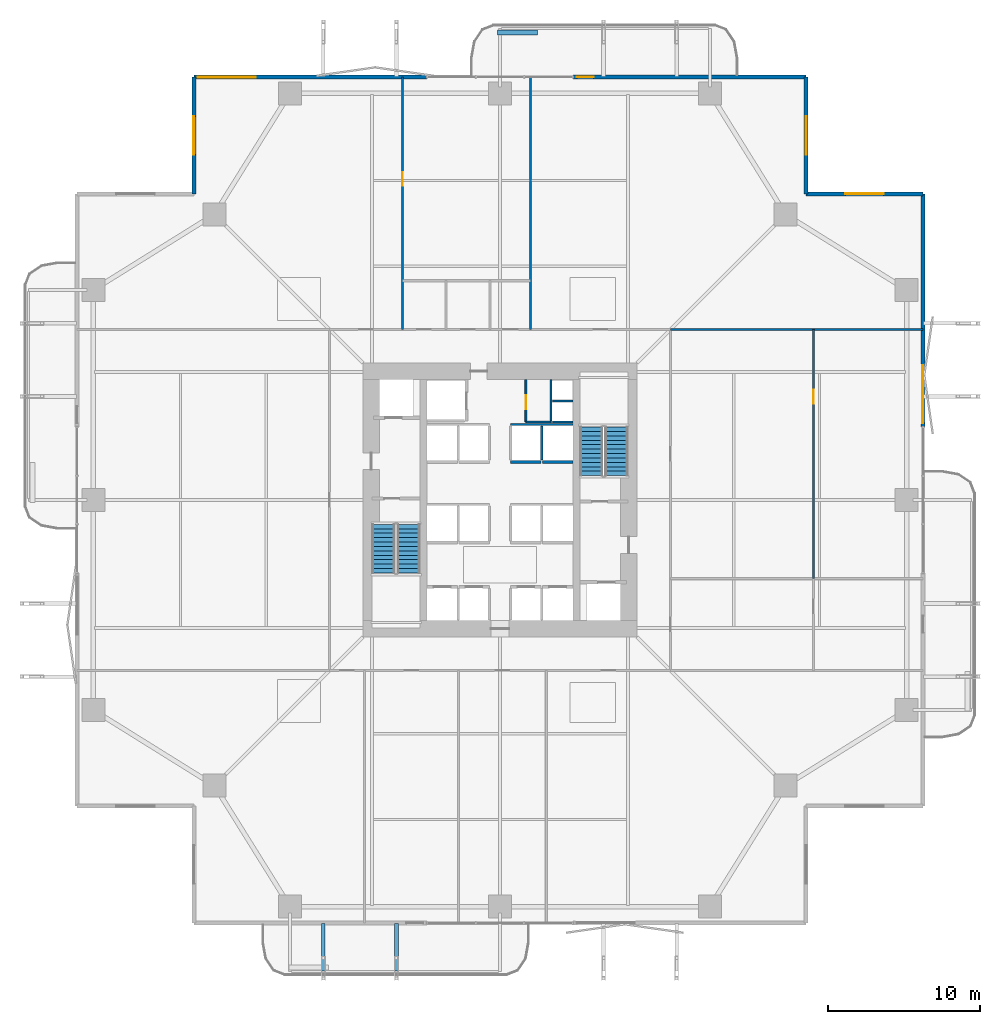
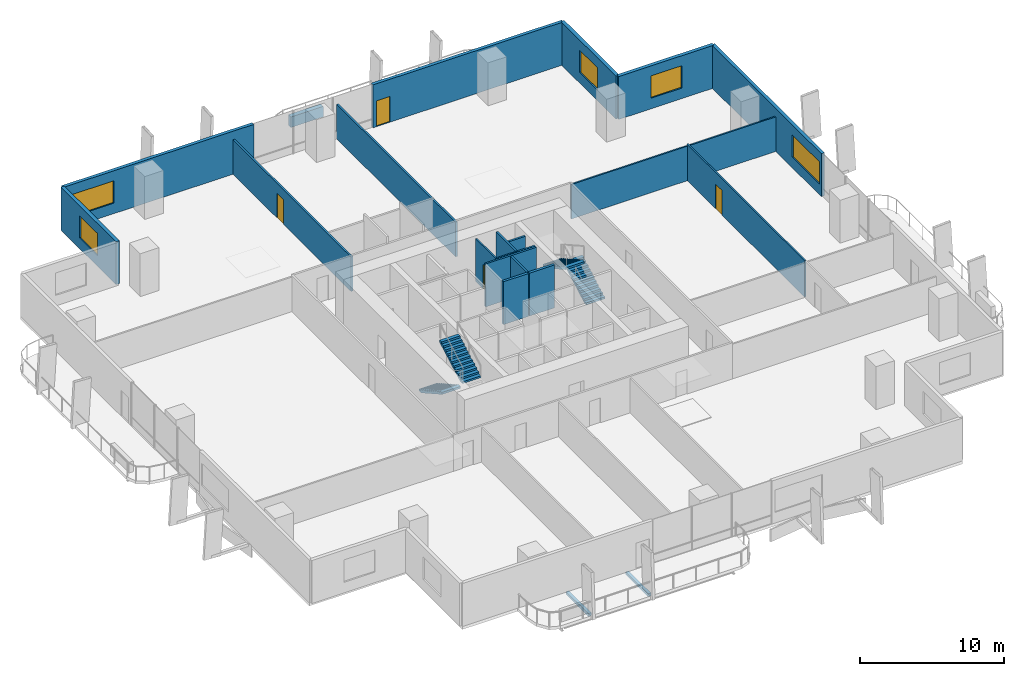
# One storey, part 19 of 23: 20 walls, 5 windows, 4 doors, 4 stair flights, 2 discrete accessories, 9 openings, 2 elements without a shape of their own.
"""IFC4 building model written with IfcOpenShell, lengths in metres."""

from ifc_helpers import new_model, si_unit, direction, frame, frame_2d, origin, origin_2d, place, context, subcontext, project, spatial, polyline, rectangle, outline, extrude, material, layer, layer_set, type_object, element, fill, aggregate, save


model = new_model("IFC4")

# Units and contexts
model_context = context("Model", 3, precision=1e-05, world=origin(), true_north=direction((0.0, 1.0)))
body_context = subcontext(model_context, "Body", "Model", "MODEL_VIEW")
ifc_project = project(units=[si_unit("LENGTHUNIT", "METRE"), si_unit("AREAUNIT", "SQUARE_METRE"), si_unit("VOLUMEUNIT", "CUBIC_METRE"), si_unit("PLANEANGLEUNIT", "RADIAN"), si_unit("MASSUNIT", "GRAM", prefix="KILO")], contexts=[model_context])

# Site, building, storey
site_placement = place(None, origin())
site = spatial("IfcSite", under=ifc_project, at=site_placement, CompositionType="ELEMENT")
building_placement = place(site_placement, origin())
building = spatial("IfcBuilding", under=site, at=building_placement, Name="Belovzor Exchange Tower", CompositionType="ELEMENT")
storey_placement = place(building_placement, frame((0.0, 0.0, 41.699951171875)))
storey = spatial("IfcBuildingStorey", under=building, at=storey_placement, Name="L09", CompositionType="ELEMENT", Elevation=41.699951171875)

# Wall
ifc_material_1 = material(Name="Acoustic Plasterboard on Galvanised Studs", Category="gypsum")
ifc_layer_1 = layer(ifc_material_1, 0.1201171875)
ifc_layer_set_1 = layer_set([ifc_layer_1], Name="Acoustic Plasterboard on Galvanised Studs")
wall_type_1 = type_object("IfcWallType", Name="Acoustic Double-Stud Partition Wall 120", PredefinedType="PARTITIONING", material=ifc_layer_set_1)
wall_1_placement = place(storey_placement, frame((40.0, 40.0, 0.0), z_axis=(0.0, 0.0, 1.0), x_axis=(1.0, 0.0, 0.0)))
element("IfcWall", 1, at=wall_1_placement, inside=storey, type_object=wall_type_1, Name="W-P120 Partition Wall W-L09-END-NE", PredefinedType="PARTITIONING", context=body_context, shape_type="SweptSolid", body=[
    extrude(rectangle(XDim=16.570068359375, YDim=0.1201171875, at=frame_2d((8.28515625, 0.0))), origin(), (0.0, 0.0, 1.0), 2.93505859375),
])

# Wall, opening, door
wall_2_placement = place(storey_placement, frame((49.387939453125, 23.637939453125, 0.0), z_axis=(0.0, 0.0, 1.0), x_axis=(0.0, 1.0, 0.0)))
wall_2 = element("IfcWall", 2, at=wall_2_placement, inside=storey, type_object=wall_type_1, Name="W-P120 Partition Wall W-L09-EHDIV-1", PredefinedType="PARTITIONING", context=body_context, shape_type="SweptSolid", body=[
    extrude(rectangle(XDim=16.362060546875, YDim=0.1201171875, at=frame_2d((8.18115234375, 0.0))), origin(), (0.0, 0.0, 1.0), 3.0849609375),
])
opening_1_placement = place(wall_2_placement, frame((11.49609375, 0.0, 0.0)))
opening_1 = element("IfcOpeningElement", 3, at=opening_1_placement, cuts=wall_2, Name="Opening D-INT-090", PredefinedType="OPENING", context=body_context, shape_type="SweptSolid", body=[
    extrude(rectangle(XDim=0.89990234375, YDim=2.10009765625, at=frame_2d((0.449951171875, 1.050048828125))), frame((0.0, 0.070068359375, 0.0), z_axis=(0.0, -1.0, 0.0), x_axis=(1.0, 0.0, 0.0)), (0.0, 0.0, 1.0), 0.14013671875),
])
ifc_material_2 = material(Name="Veneered Hardwood Acoustic Leaf", Category="wood")
door_type_1 = type_object("IfcDoorType", Name="Trading Suite Acoustic Single Door 900x2100", OperationType="NOTDEFINED", PredefinedType="DOOR", material=ifc_material_2)
door_1_placement = place(opening_1_placement, origin())
door_1 = element("IfcDoor", 4, at=door_1_placement, inside=storey, type_object=door_type_1, Name="D-INT-090 Trading Suite Acoustic Single Door 900x2100", OperationType="SINGLE_SWING_RIGHT", OverallHeight=2.10009765625, OverallWidth=0.89990234375, PredefinedType="DOOR", context=body_context, shape_type="SweptSolid", body=[
    extrude(rectangle(XDim=0.89990234375, YDim=2.10009765625, at=frame_2d((0.449951171875, 1.050048828125))), frame((0.0, 0.02490234375, 0.0), z_axis=(0.0, -1.0, 0.0), x_axis=(1.0, 0.0, 0.0)), (0.0, 0.0, 1.0), 0.050048828125),
])
fill(opening_1, door_1)

ifc_material_3 = material(Name="Fire-Rated Plasterboard on Galvanised Studs", Category="gypsum")
ifc_layer_2 = layer(ifc_material_3, 0.1201171875)
ifc_layer_set_2 = layer_set([ifc_layer_2], Name="Fire-Rated Plasterboard on Galvanised Studs")
wall_type_2 = type_object("IfcWallType", Name="Fire-Rated Double-Stud Partition Wall 120", PredefinedType="PARTITIONING", material=ifc_layer_set_2)
wall_3_placement = place(storey_placement, frame((30.5, 33.925048828125, 0.0), z_axis=(0.0, 0.0, 1.0), x_axis=(0.0, 1.0, 0.0)))
wall_3 = element("IfcWall", 5, at=wall_3_placement, inside=storey, type_object=wall_type_2, Name="W-P120F Partition Wall W-CRV-L09-W", PredefinedType="PARTITIONING", context=body_context, shape_type="SweptSolid", body=[
    extrude(rectangle(XDim=2.77490234375, YDim=0.1201171875, at=frame_2d((1.387451171875, 0.0))), origin(), (0.0, 0.0, 1.0), 3.650146484375),
])
opening_2_placement = place(wall_3_placement, frame((0.85009765625, 0.0, 0.0)))
opening_2 = element("IfcOpeningElement", 6, at=opening_2_placement, cuts=wall_3, Name="Opening D-FD60-090", PredefinedType="OPENING", context=body_context, shape_type="SweptSolid", body=[
    extrude(rectangle(XDim=0.89990234375, YDim=2.10009765625, at=frame_2d((0.449951171875, 1.050048828125))), frame((0.0, 0.070068359375, 0.0), z_axis=(0.0, -1.0, 0.0), x_axis=(1.0, 0.0, 0.0)), (0.0, 0.0, 1.0), 0.14013671875),
])
ifc_material_4 = material(Name="Acoustic Timber Fire Leaf", Category="wood")
door_type_2 = type_object("IfcDoorType", Name="Core Service & Restroom Fire Door 900x2100", OperationType="NOTDEFINED", PredefinedType="DOOR", material=ifc_material_4)
door_2_placement = place(opening_2_placement, origin())
door_2 = element("IfcDoor", 7, at=door_2_placement, inside=storey, type_object=door_type_2, Name="D-FD60-090 Core Service & Restroom Fire Door 900x2100", OperationType="SINGLE_SWING_LEFT", OverallHeight=2.10009765625, OverallWidth=0.89990234375, PredefinedType="DOOR", context=body_context, shape_type="SweptSolid", body=[
    extrude(rectangle(XDim=0.89990234375, YDim=2.10009765625, at=frame_2d((0.449951171875, 1.050048828125))), frame((0.0, 0.02490234375, 0.0), z_axis=(0.0, -1.0, 0.0), x_axis=(1.0, 0.0, 0.0)), (0.0, 0.0, 1.0), 0.050048828125),
])
fill(opening_2, door_2)

# Wall
wall_4_placement = place(storey_placement, frame((30.5, 33.925048828125, 0.0), z_axis=(0.0, 0.0, 1.0), x_axis=(1.0, 0.0, 0.0)))
element("IfcWall", 8, at=wall_4_placement, inside=storey, type_object=wall_type_2, Name="W-P120F Partition Wall W-CRV-L09-S", PredefinedType="PARTITIONING", context=body_context, shape_type="SweptSolid", body=[
    extrude(rectangle(XDim=1.64990234375, YDim=0.1201171875, at=frame_2d((0.824951171875, 0.0))), origin(), (0.0, 0.0, 1.0), 3.650146484375),
])

# Wall, opening, door
ifc_material_5 = material(Name="Fire-Rated Gypsum Block and Mineral Wool", Category="gypsum")
ifc_layer_3 = layer(ifc_material_5, 0.14990234375)
ifc_layer_set_3 = layer_set([ifc_layer_3], Name="Fire-Rated Gypsum Block and Mineral Wool")
wall_type_3 = type_object("IfcWallType", Name="Fire-Rated Gypsum Block Corridor Wall 150", PredefinedType="PARTITIONING", material=ifc_layer_set_3)
wall_5_placement = place(storey_placement, frame((22.39990234375, 40.0, 0.0), z_axis=(0.0, 0.0, 1.0), x_axis=(0.0, 1.0, 0.0)))
wall_5 = element("IfcWall", 9, at=wall_5_placement, inside=storey, type_object=wall_type_3, Name="W-P150 Partition Wall W-L09-WCW", PredefinedType="PARTITIONING", context=body_context, shape_type="SweptSolid", body=[
    extrude(rectangle(XDim=16.570068359375, YDim=0.14990234375, at=frame_2d((8.28515625, 0.0))), origin(), (0.0, 0.0, 1.0), 2.93505859375),
])
opening_3_placement = place(wall_5_placement, frame((9.43505859375, 0.0, 0.0)))
opening_3 = element("IfcOpeningElement", 10, at=opening_3_placement, cuts=wall_5, Name="Opening D-INT-090", PredefinedType="OPENING", context=body_context, shape_type="SweptSolid", body=[
    extrude(rectangle(XDim=0.89990234375, YDim=2.10009765625, at=frame_2d((0.449951171875, 1.050048828125))), frame((0.0, 0.0849609375, 0.0), z_axis=(0.0, -1.0, 0.0), x_axis=(1.0, 0.0, 0.0)), (0.0, 0.0, 1.0), 0.169921875),
])
door_3_placement = place(opening_3_placement, origin())
door_3 = element("IfcDoor", 11, at=door_3_placement, inside=storey, type_object=door_type_1, Name="D-INT-090 Trading Suite Acoustic Single Door 900x2100", OperationType="SINGLE_SWING_LEFT", OverallHeight=2.10009765625, OverallWidth=0.89990234375, PredefinedType="DOOR", context=body_context, shape_type="SweptSolid", body=[
    extrude(rectangle(XDim=0.89990234375, YDim=2.10009765625, at=frame_2d((0.449951171875, 1.050048828125))), frame((0.0, 0.02490234375, 0.0), z_axis=(0.0, -1.0, 0.0), x_axis=(1.0, 0.0, 0.0)), (0.0, 0.0, 1.0), 0.050048828125),
])
fill(opening_3, door_3)

# Wall
wall_6_placement = place(storey_placement, frame((30.800048828125, 40.0, 0.0), z_axis=(0.0, 0.0, 1.0), x_axis=(0.0, 1.0, 0.0)))
element("IfcWall", 12, at=wall_6_placement, inside=storey, type_object=wall_type_3, Name="W-P150 Partition Wall W-L09-WCE", PredefinedType="PARTITIONING", context=body_context, shape_type="SweptSolid", body=[
    extrude(rectangle(XDim=16.570068359375, YDim=0.14990234375, at=frame_2d((8.28515625, 0.0))), origin(), (0.0, 0.0, 1.0), 2.93505859375),
])

# Wall, opening, window
ifc_material_6 = material(Name="Precast concrete C40/50", Category="concrete")
ifc_layer_4 = layer(ifc_material_6, 0.280029296875)
ifc_layer_set_4 = layer_set([ifc_layer_4], Name="Precast concrete C40/50")
wall_type_4 = type_object("IfcWallType", Name="Precast Concrete Notched Corner Frame Wall 280", PredefinedType="SOLIDWALL", material=ifc_layer_set_4)
wall_7_placement = place(storey_placement, frame((8.699951171875, 48.89990234375, 0.0), z_axis=(0.0, 0.0, 1.0), x_axis=(0.0, 1.0, 0.0)))
wall_7 = element("IfcWall", 13, at=wall_7_placement, inside=storey, type_object=wall_type_4, Name="W-CRN280 Precast Concrete Notched Corner Frame Wall 280 L09", PredefinedType="SOLIDWALL", context=body_context, shape_type="SweptSolid", body=[
    extrude(rectangle(XDim=7.670166015625, YDim=0.280029296875, at=frame_2d((3.8349609375, 0.0))), origin(), (0.0, 0.0, 1.0), 3.650146484375),
])
opening_4_placement = place(wall_7_placement, frame((2.5849609375, 0.0, 0.89990234375)))
opening_4 = element("IfcOpeningElement", 14, at=opening_4_placement, cuts=wall_7, Name="Opening WN-CRN250", PredefinedType="OPENING", context=body_context, shape_type="SweptSolid", body=[
    extrude(rectangle(XDim=2.5, YDim=1.89990234375, at=frame_2d((1.25, 0.949951171875))), frame((0.0, 0.14990234375, 0.0), z_axis=(0.0, -1.0, 0.0), x_axis=(1.0, 0.0, 0.0)), (0.0, 0.0, 1.0), 0.300048828125),
])
ifc_material_7 = material(Name="Thermally Broken Aluminium and Triple Glazing", Category="aluminium")
window_type_1 = type_object("IfcWindowType", Name="Streamline Moderne Corner Wrap Ribbon Window 2500x1900", PartitioningType="SINGLE_PANEL", PredefinedType="WINDOW", material=ifc_material_7)
window_1_placement = place(opening_4_placement, origin())
window_1 = element("IfcWindow", 15, at=window_1_placement, inside=storey, type_object=window_type_1, Name="WN-CRN250 Streamline Moderne Corner Wrap Ribbon Window 2500x1900", OverallHeight=1.89990234375, OverallWidth=2.5, PartitioningType="SINGLE_PANEL", PredefinedType="WINDOW", context=body_context, shape_type="SweptSolid", body=[
    extrude(rectangle(XDim=2.5, YDim=1.89990234375, at=frame_2d((1.25, 0.949951171875))), frame((0.0, 0.030029296875, 0.0), z_axis=(0.0, -1.0, 0.0), x_axis=(1.0, 0.0, 0.0)), (0.0, 0.0, 1.0), 0.06005859375),
])
fill(opening_4, window_1)

wall_8_placement = place(storey_placement, frame((48.89990234375, 56.570068359375, 0.0), z_axis=(0.0, 0.0, 1.0), x_axis=(0.0, -1.0, 0.0)))
wall_8 = element("IfcWall", 16, at=wall_8_placement, inside=storey, type_object=wall_type_4, Name="W-CRN280 Precast Concrete Notched Corner Frame Wall 280 L09", PredefinedType="SOLIDWALL", context=body_context, shape_type="SweptSolid", body=[
    extrude(rectangle(XDim=7.670166015625, YDim=0.280029296875, at=frame_2d((3.8349609375, 0.0))), origin(), (0.0, 0.0, 1.0), 3.650146484375),
])
opening_5_placement = place(wall_8_placement, frame((2.5849609375, 0.0, 0.89990234375)))
opening_5 = element("IfcOpeningElement", 17, at=opening_5_placement, cuts=wall_8, Name="Opening WN-CRN250", PredefinedType="OPENING", context=body_context, shape_type="SweptSolid", body=[
    extrude(rectangle(XDim=2.5, YDim=1.89990234375, at=frame_2d((1.25, 0.949951171875))), frame((0.0, 0.14990234375, 0.0), z_axis=(0.0, -1.0, 0.0), x_axis=(1.0, 0.0, 0.0)), (0.0, 0.0, 1.0), 0.300048828125),
])
window_2_placement = place(opening_5_placement, origin())
window_2 = element("IfcWindow", 18, at=window_2_placement, inside=storey, type_object=window_type_1, Name="WN-CRN250 Streamline Moderne Corner Wrap Ribbon Window 2500x1900", OverallHeight=1.89990234375, OverallWidth=2.5, PartitioningType="SINGLE_PANEL", PredefinedType="WINDOW", context=body_context, shape_type="SweptSolid", body=[
    extrude(rectangle(XDim=2.5, YDim=1.89990234375, at=frame_2d((1.25, 0.949951171875))), frame((0.0, 0.030029296875, 0.0), z_axis=(0.0, -1.0, 0.0), x_axis=(1.0, 0.0, 0.0)), (0.0, 0.0, 1.0), 0.06005859375),
])
fill(opening_5, window_2)

wall_9_placement = place(storey_placement, frame((48.89990234375, 48.89990234375, 0.0), z_axis=(0.0, 0.0, 1.0), x_axis=(1.0, 0.0, 0.0)))
wall_9 = element("IfcWall", 19, at=wall_9_placement, inside=storey, type_object=wall_type_4, Name="W-CRN280 Precast Concrete Notched Corner Frame Wall 280 L09", PredefinedType="SOLIDWALL", context=body_context, shape_type="SweptSolid", body=[
    extrude(rectangle(XDim=7.670166015625, YDim=0.280029296875, at=frame_2d((3.8349609375, 0.0))), origin(), (0.0, 0.0, 1.0), 3.650146484375),
])
opening_6_placement = place(wall_9_placement, frame((2.5849609375, 0.0, 0.89990234375)))
opening_6 = element("IfcOpeningElement", 20, at=opening_6_placement, cuts=wall_9, Name="Opening WN-CRN250", PredefinedType="OPENING", context=body_context, shape_type="SweptSolid", body=[
    extrude(rectangle(XDim=2.5, YDim=1.89990234375, at=frame_2d((1.25, 0.949951171875))), frame((0.0, 0.14990234375, 0.0), z_axis=(0.0, -1.0, 0.0), x_axis=(1.0, 0.0, 0.0)), (0.0, 0.0, 1.0), 0.300048828125),
])
window_3_placement = place(opening_6_placement, origin())
window_3 = element("IfcWindow", 21, at=window_3_placement, inside=storey, type_object=window_type_1, Name="WN-CRN250 Streamline Moderne Corner Wrap Ribbon Window 2500x1900", OverallHeight=1.89990234375, OverallWidth=2.5, PartitioningType="SINGLE_PANEL", PredefinedType="WINDOW", context=body_context, shape_type="SweptSolid", body=[
    extrude(rectangle(XDim=2.5, YDim=1.89990234375, at=frame_2d((1.25, 0.949951171875))), frame((0.0, 0.030029296875, 0.0), z_axis=(0.0, -1.0, 0.0), x_axis=(1.0, 0.0, 0.0)), (0.0, 0.0, 1.0), 0.06005859375),
])
fill(opening_6, window_3)

ifc_material_8 = material(Name="Precast concrete C40/50", Category="concrete")
ifc_layer_5 = layer(ifc_material_8, 0.260009765625)
ifc_layer_set_5 = layer_set([ifc_layer_5], Name="Precast concrete C40/50")
wall_type_5 = type_object("IfcWallType", Name="Precast Concrete Perimeter Loggia Frame Wall 260", PredefinedType="SOLIDWALL", material=ifc_layer_set_5)
wall_10_placement = place(storey_placement, frame((8.699951171875, 56.570068359375, 0.0), z_axis=(0.0, 0.0, 1.0), x_axis=(1.0, 0.0, 0.0)))
wall_10 = element("IfcWall", 22, at=wall_10_placement, inside=storey, type_object=wall_type_5, Name="W-EXT260 Precast Concrete Perimeter Loggia Frame Wall 260 L09", PredefinedType="SOLIDWALL", context=body_context, shape_type="SweptSolid", body=[
    extrude(rectangle(XDim=15.300048828125, YDim=0.260009765625, at=frame_2d((7.64990234375, 0.0))), origin(), (0.0, 0.0, 1.0), 3.650146484375),
])
opening_7_placement = place(wall_10_placement, frame((0.25, 0.0, 0.89990234375)))
opening_7 = element("IfcOpeningElement", 23, at=opening_7_placement, cuts=wall_10, Name="Opening WN-RIB380", PredefinedType="OPENING", context=body_context, shape_type="SweptSolid", body=[
    extrude(rectangle(XDim=3.800048828125, YDim=1.89990234375, at=frame_2d((1.89990234375, 0.949951171875))), frame((0.0, 0.139892578125, 0.0), z_axis=(0.0, -1.0, 0.0), x_axis=(1.0, 0.0, 0.0)), (0.0, 0.0, 1.0), 0.280029296875),
])
ifc_material_9 = material(Name="Thermally Broken Aluminium and Triple Glazing", Category="aluminium")
window_type_2 = type_object("IfcWindowType", Name="Streamline Moderne Horizontal Ribbon Window 3800x1900", PartitioningType="SINGLE_PANEL", PredefinedType="WINDOW", material=ifc_material_9)
window_4_placement = place(opening_7_placement, origin())
window_4 = element("IfcWindow", 24, at=window_4_placement, inside=storey, type_object=window_type_2, Name="WN-RIB380 Streamline Moderne Horizontal Ribbon Window 3800x1900", OverallHeight=1.89990234375, OverallWidth=3.800048828125, PartitioningType="SINGLE_PANEL", PredefinedType="WINDOW", context=body_context, shape_type="SweptSolid", body=[
    extrude(rectangle(XDim=3.800048828125, YDim=1.89990234375, at=frame_2d((1.89990234375, 0.949951171875))), frame((0.0, 0.030029296875, 0.0), z_axis=(0.0, -1.0, 0.0), x_axis=(1.0, 0.0, 0.0)), (0.0, 0.0, 1.0), 0.06005859375),
])
fill(opening_7, window_4)

# Wall, opening, door
wall_11_placement = place(storey_placement, frame((33.60009765625, 56.570068359375, 0.0), z_axis=(0.0, 0.0, 1.0), x_axis=(1.0, 0.0, 0.0)))
wall_11 = element("IfcWall", 25, at=wall_11_placement, inside=storey, type_object=wall_type_5, Name="W-EXT260 Precast Concrete Perimeter Loggia Frame Wall 260 L09", PredefinedType="SOLIDWALL", context=body_context, shape_type="SweptSolid", body=[
    extrude(rectangle(XDim=15.2998046875, YDim=0.260009765625, at=frame_2d((7.64990234375, 0.0))), origin(), (0.0, 0.0, 1.0), 3.650146484375),
])
opening_8_placement = place(wall_11_placement, frame((0.25, 0.0, 0.0)))
opening_8 = element("IfcOpeningElement", 26, at=opening_8_placement, cuts=wall_11, Name="Opening D-BAL110", PredefinedType="OPENING", context=body_context, shape_type="SweptSolid", body=[
    extrude(rectangle(XDim=1.10009765625, YDim=2.199951171875, at=frame_2d((0.550048828125, 1.10009765625))), frame((0.0, 0.139892578125, 0.0), z_axis=(0.0, -1.0, 0.0), x_axis=(1.0, 0.0, 0.0)), (0.0, 0.0, 1.0), 0.280029296875),
])
ifc_material_10 = material(Name="Thermally Broken Anodised Aluminium and Laminated Glass", Category="aluminium")
door_type_3 = type_object("IfcDoorType", Name="Planted Loggia Terrace Glazed Door 1100x2200", OperationType="SINGLE_SWING_LEFT", PredefinedType="DOOR", material=ifc_material_10)
door_4_placement = place(opening_8_placement, origin())
door_4 = element("IfcDoor", 27, at=door_4_placement, inside=storey, type_object=door_type_3, Name="D-BAL110 Balcony Terrace Door L09 N", OperationType="SINGLE_SWING_RIGHT", OverallHeight=2.199951171875, OverallWidth=1.10009765625, PredefinedType="DOOR", context=body_context, shape_type="SweptSolid", body=[
    extrude(rectangle(XDim=1.10009765625, YDim=2.199951171875, at=frame_2d((0.550048828125, 1.10009765625))), frame((0.0, 0.02490234375, 0.0), z_axis=(0.0, -1.0, 0.0), x_axis=(1.0, 0.0, 0.0)), (0.0, 0.0, 1.0), 0.050048828125),
])
fill(opening_8, door_4)

# Wall, opening, window
wall_12_placement = place(storey_placement, frame((56.570068359375, 48.89990234375, 0.0), z_axis=(0.0, 0.0, 1.0), x_axis=(0.0, -1.0, 0.0)))
wall_12 = element("IfcWall", 28, at=wall_12_placement, inside=storey, type_object=wall_type_5, Name="W-EXT260 Precast Concrete Perimeter Loggia Frame Wall 260 L09", PredefinedType="SOLIDWALL", context=body_context, shape_type="SweptSolid", body=[
    extrude(rectangle(XDim=15.2998046875, YDim=0.260009765625, at=frame_2d((7.64990234375, 0.0))), origin(), (0.0, 0.0, 1.0), 3.650146484375),
])
opening_9_placement = place(wall_12_placement, frame((11.25, 0.0, 0.89990234375)))
opening_9 = element("IfcOpeningElement", 29, at=opening_9_placement, cuts=wall_12, Name="Opening WN-RIB380", PredefinedType="OPENING", context=body_context, shape_type="SweptSolid", body=[
    extrude(rectangle(XDim=3.800048828125, YDim=1.89990234375, at=frame_2d((1.89990234375, 0.949951171875))), frame((0.0, 0.139892578125, 0.0), z_axis=(0.0, -1.0, 0.0), x_axis=(1.0, 0.0, 0.0)), (0.0, 0.0, 1.0), 0.280029296875),
])
window_5_placement = place(opening_9_placement, origin())
window_5 = element("IfcWindow", 30, at=window_5_placement, inside=storey, type_object=window_type_2, Name="WN-RIB380 Streamline Moderne Horizontal Ribbon Window 3800x1900", OverallHeight=1.89990234375, OverallWidth=3.800048828125, PartitioningType="SINGLE_PANEL", PredefinedType="WINDOW", context=body_context, shape_type="SweptSolid", body=[
    extrude(rectangle(XDim=3.800048828125, YDim=1.89990234375, at=frame_2d((1.89990234375, 0.949951171875))), frame((0.0, 0.030029296875, 0.0), z_axis=(0.0, -1.0, 0.0), x_axis=(1.0, 0.0, 0.0)), (0.0, 0.0, 1.0), 0.06005859375),
])
fill(opening_9, window_5)

# Walls
ifc_material_11 = material(Name="Precast concrete C40/50", Category="concrete")
ifc_layer_6 = layer(ifc_material_11, 0.35009765625)
ifc_layer_set_6 = layer_set([ifc_layer_6], Name="Precast concrete C40/50")
wall_type_6 = type_object("IfcWallType", Name="Precast Concrete Structural Tree Planter Trough 350", PredefinedType="PARAPET", material=ifc_layer_set_6)
wall_13_placement = place(storey_placement, frame((28.64990234375, 59.5, 0.0), z_axis=(0.0, 0.0, 1.0), x_axis=(1.0, 0.0, 0.0)))
element("IfcWall", 31, at=wall_13_placement, inside=storey, type_object=wall_type_6, Name="PT-350 Precast Concrete Structural Tree Planter Trough 350 L09", PredefinedType="PARAPET", context=body_context, shape_type="SweptSolid", body=[
    extrude(rectangle(XDim=2.60009765625, YDim=0.35009765625, at=frame_2d((1.300048828125, 0.0))), origin(), (0.0, 0.0, 1.0), 0.900146484375),
])
ifc_material_12 = material(Name="Concrete C50/60", Category="concrete")
ifc_layer_7 = layer(ifc_material_12, 0.14990234375)
ifc_layer_set_7 = layer_set([ifc_layer_7], Name="Concrete C50/60")
wall_type_7 = type_object("IfcWallType", Name="Reinforced Concrete Core Riser Shear Wall 150", PredefinedType="SHEAR", material=ifc_layer_set_7)
wall_14_placement = place(storey_placement, frame((32.14990234375, 34.0, 0.0), z_axis=(0.0, 0.0, 1.0), x_axis=(0.0, 1.0, 0.0)))
element("IfcWall", 32, at=wall_14_placement, inside=storey, type_object=wall_type_7, Name="W-C150S Core Shaft Wall W-RSR-L09-E", PredefinedType="SHEAR", context=body_context, shape_type="SweptSolid", body=[
    extrude(rectangle(XDim=2.699951171875, YDim=0.14990234375, at=frame_2d((1.35009765625, 0.0))), origin(), (0.0, 0.0, 1.0), 3.650146484375),
])
for number, where, z_axis, x_axis, name in (
    (33, (32.25, 33.925048828125, 0.0), (0.0, 0.0, 1.0), (1.0, 0.0, 0.0), "W-C150S Core Shaft Wall W-RSR-L09-S"),
    (34, (32.25, 35.300048828125, 0.0), (0.0, 0.0, 1.0), (1.0, 0.0, 0.0), "W-C150S Core Shaft Wall W-RSR-L09-M"),
):
    element("IfcWall", number, at=place(storey_placement, frame(where, z_axis=z_axis, x_axis=x_axis)), inside=storey, type_object=wall_type_7, Name=name, PredefinedType="SHEAR", context=body_context, shape_type="SweptSolid", body=[
        extrude(rectangle(XDim=1.330078125, YDim=0.14990234375, at=frame_2d((0.6650390625, 0.0))), origin(), (0.0, 0.0, 1.0), 3.650146484375),
    ])
wall_15_placement = place(storey_placement, frame((29.5, 33.760009765625, 0.0), z_axis=(0.0, 0.0, 1.0), x_axis=(1.0, 0.0, 0.0)))
element("IfcWall", 35, at=wall_15_placement, inside=storey, type_object=wall_type_7, Name="W-C150S Core Shaft Wall W-SHB-L09-PLH-NE", PredefinedType="SHEAR", context=body_context, shape_type="SweptSolid", body=[
    extrude(rectangle(XDim=4.080078125, YDim=0.14990234375, at=frame_2d((2.0400390625, 0.0))), origin(), (0.0, 0.0, 1.0), 3.650146484375),
])
wall_16_placement = place(storey_placement, frame((31.550048828125, 31.419921875, 0.0), z_axis=(0.0, 0.0, 1.0), x_axis=(0.0, 1.0, 0.0)))
element("IfcWall", 36, at=wall_16_placement, inside=storey, type_object=wall_type_7, Name="W-C150S Core Shaft Wall W-SHD-L09-PLH-4", PredefinedType="SHEAR", context=body_context, shape_type="SweptSolid", body=[
    extrude(rectangle(XDim=2.239990234375, YDim=0.14990234375, at=frame_2d((1.1201171875, 0.0))), origin(), (0.0, 0.0, 1.0), 3.650146484375),
])
ifc_material_13 = material(Name="Concrete C50/60", Category="concrete")
ifc_layer_8 = layer(ifc_material_13, 0.199951171875)
ifc_layer_set_8 = layer_set([ifc_layer_8], Name="Concrete C50/60")
wall_type_8 = type_object("IfcWallType", Name="Reinforced Concrete Core Shaft Shear Wall 200", PredefinedType="SHEAR", material=ifc_layer_set_8)
for number, where, z_axis, x_axis, name in (
    (37, (29.5, 31.300048828125, 0.0), (0.0, 0.0, 1.0), (1.0, 0.0, 0.0), "W-C200S Core Shaft Wall W-SH-L09-PL-H3"),
    (38, (31.60009765625, 31.300048828125, 0.0), (0.0, 0.0, 1.0), (1.0, 0.0, 0.0), "W-C200S Core Shaft Wall W-SH-L09-PL-H4"),
):
    element("IfcWall", number, at=place(storey_placement, frame(where, z_axis=z_axis, x_axis=x_axis)), inside=storey, type_object=wall_type_8, Name=name, PredefinedType="SHEAR", context=body_context, shape_type="SweptSolid", body=[
        extrude(rectangle(XDim=2.0, YDim=0.199951171875, at=frame_2d((1.0, 0.0))), origin(), (0.0, 0.0, 1.0), 3.650146484375),
    ])

# Stair, stair flights
ifc_material_14 = material(Name="Concrete C40/50", Category="concrete")
stair_type = type_object("IfcStairType", Name="Reinforced Concrete Dogleg Escape Stair 1350", PredefinedType="HALF_TURN_STAIR", material=ifc_material_14)
stair_1_placement = place(storey_placement, origin())
stair_1 = element("IfcStair", 39, at=stair_1_placement, inside=storey, type_object=stair_type, Name="L09 ST-1", PredefinedType="HALF_TURN_STAIR")
ifc_material_15 = material(Name="Concrete C40/50", Category="concrete")
stair_flight_type = type_object("IfcStairFlightType", Name="Reinforced Concrete Stair Flight 1350", PredefinedType="STRAIGHT", material=ifc_material_15)
stair_flight_1_placement = place(storey_placement, frame((21.14990234375, 27.199951171875, 0.0), z_axis=(0.0, 0.0, 1.0), x_axis=(0.0, -1.0, 0.0)))
stair_flight_1 = element("IfcStairFlight", 40, at=stair_flight_1_placement, type_object=stair_flight_type, Name="ST-1 flight 1", NumberOfRisers=12, NumberOfTreads=11, PredefinedType="STRAIGHT", RiserHeight=0.1625, TreadLength=0.29, context=body_context, shape_type="SweptSolid", body=[
    extrude(outline(polyline([(0.0, 0.0), (0.0, 0.16259765625), (0.2900390625, 0.16259765625), (0.2900390625, 0.324951171875), (0.580078125, 0.324951171875), (0.580078125, 0.487548828125), (0.8701171875, 0.487548828125), (0.8701171875, 0.64990234375), (1.159912109375, 0.64990234375), (1.159912109375, 0.8125), (1.449951171875, 0.8125), (1.449951171875, 0.97509765625), (1.739990234375, 0.97509765625), (1.739990234375, 1.137451171875), (2.030029296875, 1.137451171875), (2.030029296875, 1.300048828125), (2.320068359375, 1.300048828125), (2.320068359375, 1.46240234375), (2.610107421875, 1.46240234375), (2.610107421875, 1.625), (2.89990234375, 1.625), (2.89990234375, 1.78759765625), (3.18994140625, 1.78759765625), (3.18994140625, 1.949951171875), (3.18994140625, 1.61572265625), (0.306640625, 0.0), (0.0, 0.0)])), frame((0.0, 0.75, 0.0), z_axis=(0.0, -1.0, 0.0), x_axis=(1.0, 0.0, 0.0)), (0.0, 0.0, 1.0), 1.5),
])
stair_flight_2_placement = place(storey_placement, frame((22.800048828125, 24.010009765625, 1.949951171875), z_axis=(0.0, 0.0, 1.0), x_axis=(0.0, 1.0, 0.0)))
stair_flight_2 = element("IfcStairFlight", 41, at=stair_flight_2_placement, type_object=stair_flight_type, Name="ST-1 flight 2", NumberOfRisers=12, NumberOfTreads=11, PredefinedType="STRAIGHT", RiserHeight=0.1625, TreadLength=0.29, context=body_context, shape_type="SweptSolid", body=[
    extrude(outline(polyline([(0.0, 0.0), (0.0, 0.16259765625), (0.2900390625, 0.16259765625), (0.2900390625, 0.324951171875), (0.580078125, 0.324951171875), (0.580078125, 0.487548828125), (0.8701171875, 0.487548828125), (0.8701171875, 0.64990234375), (1.159912109375, 0.64990234375), (1.159912109375, 0.8125), (1.449951171875, 0.8125), (1.449951171875, 0.97509765625), (1.739990234375, 0.97509765625), (1.739990234375, 1.137451171875), (2.030029296875, 1.137451171875), (2.030029296875, 1.300048828125), (2.320068359375, 1.300048828125), (2.320068359375, 1.46240234375), (2.610107421875, 1.46240234375), (2.610107421875, 1.625), (2.89990234375, 1.625), (2.89990234375, 1.78759765625), (3.18994140625, 1.78759765625), (3.18994140625, 1.949951171875), (3.18994140625, 1.61572265625), (0.306640625, 0.0), (0.0, 0.0)])), frame((0.0, 0.75, 0.0), z_axis=(0.0, -1.0, 0.0), x_axis=(1.0, 0.0, 0.0)), (0.0, 0.0, 1.0), 1.5),
])
aggregate(stair_1, [stair_flight_1, stair_flight_2])

stair_2_placement = place(storey_placement, origin())
stair_2 = element("IfcStair", 42, at=stair_2_placement, inside=storey, type_object=stair_type, Name="L09 ST-2", PredefinedType="HALF_TURN_STAIR")
stair_flight_3_placement = place(storey_placement, frame((36.449951171875, 30.39990234375, 0.0), z_axis=(0.0, 0.0, 1.0), x_axis=(0.0, 1.0, 0.0)))
stair_flight_3 = element("IfcStairFlight", 43, at=stair_flight_3_placement, type_object=stair_flight_type, Name="ST-2 flight 1", NumberOfRisers=12, NumberOfTreads=11, PredefinedType="STRAIGHT", RiserHeight=0.1625, TreadLength=0.29, context=body_context, shape_type="SweptSolid", body=[
    extrude(outline(polyline([(0.0, 0.0), (0.0, 0.16259765625), (0.2900390625, 0.16259765625), (0.2900390625, 0.324951171875), (0.580078125, 0.324951171875), (0.580078125, 0.487548828125), (0.8701171875, 0.487548828125), (0.8701171875, 0.64990234375), (1.159912109375, 0.64990234375), (1.159912109375, 0.8125), (1.449951171875, 0.8125), (1.449951171875, 0.97509765625), (1.739990234375, 0.97509765625), (1.739990234375, 1.137451171875), (2.030029296875, 1.137451171875), (2.030029296875, 1.300048828125), (2.320068359375, 1.300048828125), (2.320068359375, 1.46240234375), (2.610107421875, 1.46240234375), (2.610107421875, 1.625), (2.89990234375, 1.625), (2.89990234375, 1.78759765625), (3.18994140625, 1.78759765625), (3.18994140625, 1.949951171875), (3.18994140625, 1.61572265625), (0.306640625, 0.0), (0.0, 0.0)])), frame((0.0, 0.75, 0.0), z_axis=(0.0, -1.0, 0.0), x_axis=(1.0, 0.0, 0.0)), (0.0, 0.0, 1.0), 1.5),
])
stair_flight_4_placement = place(storey_placement, frame((34.800048828125, 33.590087890625, 1.949951171875), z_axis=(0.0, 0.0, 1.0), x_axis=(0.0, -1.0, 0.0)))
stair_flight_4 = element("IfcStairFlight", 44, at=stair_flight_4_placement, type_object=stair_flight_type, Name="ST-2 flight 2", NumberOfRisers=12, NumberOfTreads=11, PredefinedType="STRAIGHT", RiserHeight=0.1625, TreadLength=0.29, context=body_context, shape_type="SweptSolid", body=[
    extrude(outline(polyline([(0.0, 0.0), (0.0, 0.16259765625), (0.2900390625, 0.16259765625), (0.2900390625, 0.324951171875), (0.580078125, 0.324951171875), (0.580078125, 0.487548828125), (0.8701171875, 0.487548828125), (0.8701171875, 0.64990234375), (1.159912109375, 0.64990234375), (1.159912109375, 0.8125), (1.449951171875, 0.8125), (1.449951171875, 0.97509765625), (1.739990234375, 0.97509765625), (1.739990234375, 1.137451171875), (2.030029296875, 1.137451171875), (2.030029296875, 1.300048828125), (2.320068359375, 1.300048828125), (2.320068359375, 1.46240234375), (2.610107421875, 1.46240234375), (2.610107421875, 1.625), (2.89990234375, 1.625), (2.89990234375, 1.78759765625), (3.18994140625, 1.78759765625), (3.18994140625, 1.949951171875), (3.18994140625, 1.61572265625), (0.306640625, 0.0), (0.0, 0.0)])), frame((0.0, 0.75, 0.0), z_axis=(0.0, -1.0, 0.0), x_axis=(1.0, 0.0, 0.0)), (0.0, 0.0, 1.0), 1.5),
])
aggregate(stair_2, [stair_flight_3, stair_flight_4])

# Discrete accessories
ifc_material_16 = material(Name="Stainless Steel Grade 316", Category="steel")
ifc_layer_9 = layer(ifc_material_16, 0.179931640625)
ifc_layer_set_9 = layer_set([ifc_layer_9], Name="Stainless Steel Grade 316")
discrete_accessory_type = type_object("IfcDiscreteAccessoryType", Name="Stainless Steel Facade Outrigger Fixing Bracket", PredefinedType="BRACKET", material=ifc_layer_set_9)
for number, where, z_axis, x_axis, name in (
    (45, (17.199951171875, -0.572998046875, -0.2451171875), (0.0, 0.0, 1.0), (0.0, 1.0, 0.0), "BRK-FIN1 Sweeping Fin Outrigger Bracket L09 S1"),
    (46, (22.0, -0.572998046875, -0.2451171875), (0.0, 0.0, 1.0), (0.0, 1.0, 0.0), "BRK-FIN1 Sweeping Fin Outrigger Bracket L09 S2"),
):
    element("IfcDiscreteAccessory", number, at=place(storey_placement, frame(where, z_axis=z_axis, x_axis=x_axis)), inside=storey, type_object=discrete_accessory_type, Name=name, PredefinedType="BRACKET", context=body_context, shape_type="SweptSolid", body=[
        extrude(rectangle(XDim=3.10595703125, YDim=0.239990234375, at=origin_2d()), origin(), (0.0, 0.0, 1.0), 0.239990234375),
    ])

save(model, "model.ifc")
